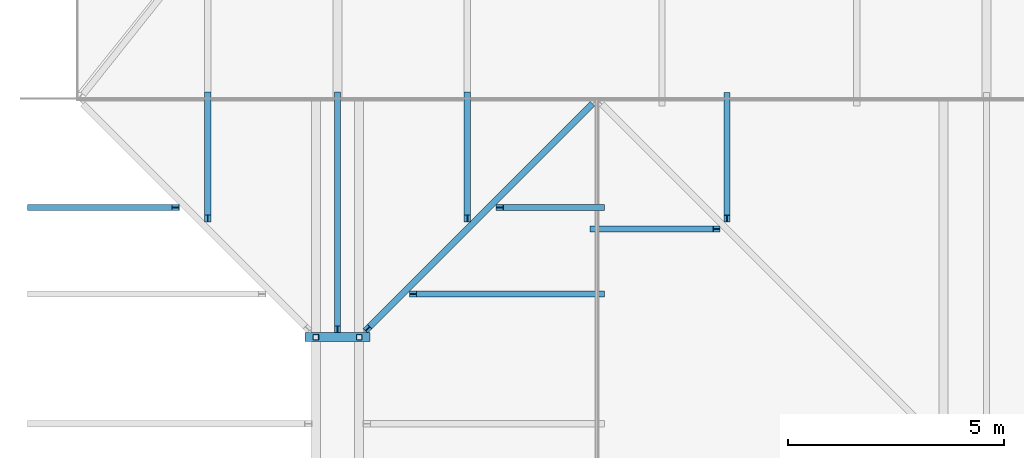
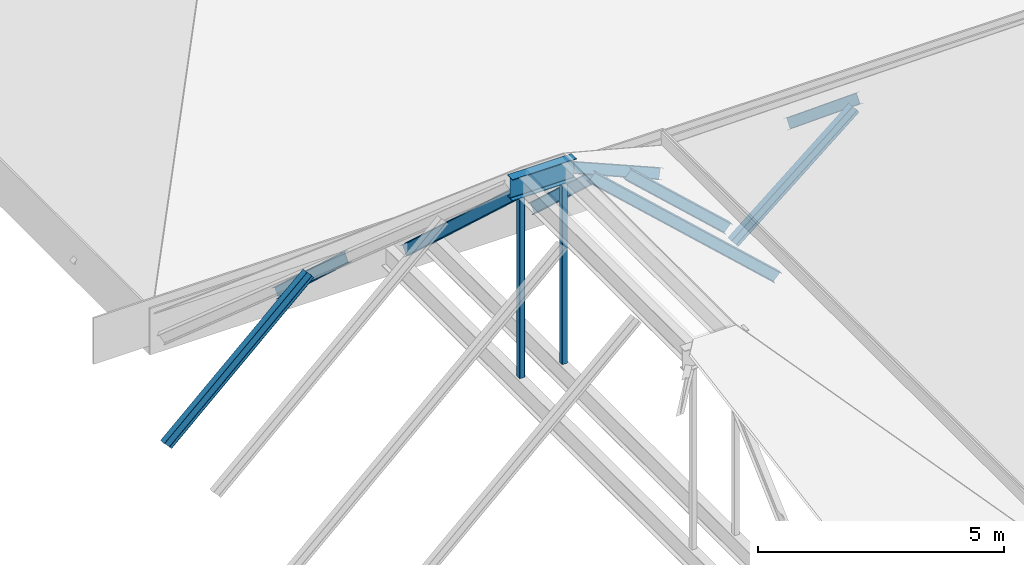
# One storey, part 23 of 57: 11 members, 1 beam.
"""IFC4 building model written with IfcOpenShell, lengths in metres."""

from ifc_helpers import new_model, si_unit, direction, frame, origin, origin_2d, place, context, subcontext, project, spatial, hollow_rectangle, i_section, extrude, material, material_profile, profile_set, type_object, element, save


model = new_model("IFC4")

# Units and contexts
model_context = context("Model", 3, precision=1e-05, world=origin(), true_north=direction((0.0, 1.0)))
body_context = subcontext(model_context, "Body", "Model", "MODEL_VIEW")
ifc_project = project(units=[si_unit("LENGTHUNIT", "METRE"), si_unit("AREAUNIT", "SQUARE_METRE"), si_unit("VOLUMEUNIT", "CUBIC_METRE"), si_unit("PLANEANGLEUNIT", "RADIAN"), si_unit("MASSUNIT", "GRAM", prefix="KILO")], contexts=[model_context])

# Site, building, storey
site_placement = place(None, origin())
site = spatial("IfcSite", under=ifc_project, at=site_placement, CompositionType="ELEMENT")
building_placement = place(site_placement, origin())
building = spatial("IfcBuilding", under=site, at=building_placement, Name="Saffron Lane Theatres", CompositionType="ELEMENT")
storey_placement = place(building_placement, frame((0.0, 0.0, 28.0)))
storey = spatial("IfcBuildingStorey", under=building, at=storey_placement, Name="Upper Roof", CompositionType="ELEMENT", Elevation=28.0)

# Beam
ifc_material_1 = material(Name="Steel Grade 350", Category="steel")
ifc_material_profile_1 = material_profile(ifc_material_1, i_section(OverallWidth=0.208984375, OverallDepth=0.532958984375, WebThickness=0.01025390625, FlangeThickness=0.015625, FilletRadius=0.013916015625, at=origin_2d()))
ifc_profile_set_1 = profile_set([ifc_material_profile_1], Name="Steel Grade 350")
beam_type = type_object("IfcBeamType", Name="ST-CROWN GIRDER 530UB92.4", PredefinedType="BEAM", material=ifc_profile_set_1)
beam_placement = place(storey_placement, frame((17.25, 102.5, 5.294677734375), z_axis=(1.0, 0.0, 0.0), x_axis=(0.0, 1.0, 0.0)))
element("IfcBeam", 1, at=beam_placement, inside=storey, type_object=beam_type, Name="BK1-C2", PredefinedType="BEAM", context=body_context, shape_type="SweptSolid", body=[
    extrude(i_section(OverallWidth=0.208984375, OverallDepth=0.532958984375, WebThickness=0.01025390625, FlangeThickness=0.015625, FilletRadius=0.013916015625, at=origin_2d()), origin(), (0.0, 0.0, 1.0), 1.5),
])

# Members
ifc_material_2 = material(Name="Steel Grade 350", Category="steel")
ifc_material_profile_2 = material_profile(ifc_material_2, i_section(OverallWidth=0.14599609375, OverallDepth=0.251953125, WebThickness=0.006103515625, FlangeThickness=0.008544921875, FilletRadius=0.011962890625, at=origin_2d()))
ifc_profile_set_2 = profile_set([ifc_material_profile_2], Name="Steel Grade 350")
member_type_1 = type_object("IfcMemberType", Name="ST-HIP RAFTER 250UB31.4", PredefinedType="RAFTER", material=ifc_profile_set_2)
member_1_placement = place(storey_placement, frame((23.8408203125, 107.8408203125, 0.105712890625), z_axis=(-0.579642029858, -0.579642029858, 0.572739237738), x_axis=(0.707106781187, -0.707106781187, 0.0)))
element("IfcMember", 2, at=member_1_placement, inside=storey, type_object=member_type_1, Name="BK1-H4", PredefinedType="RAFTER", context=body_context, shape_type="SweptSolid", body=[
    extrude(i_section(OverallWidth=0.14599609375, OverallDepth=0.251953125, WebThickness=0.006103515625, FlangeThickness=0.008544921875, FilletRadius=0.011962890625, at=origin_2d()), origin(), (0.0, 0.0, 1.0), 8.87744140625),
])
ifc_material_3 = material(Name="Steel Grade 350", Category="steel")
ifc_material_profile_3 = material_profile(ifc_material_3, i_section(OverallWidth=0.14599609375, OverallDepth=0.251953125, WebThickness=0.006103515625, FlangeThickness=0.008544921875, FilletRadius=0.011962890625, at=origin_2d()))
ifc_profile_set_3 = profile_set([ifc_material_profile_3], Name="Steel Grade 350")
member_type_2 = type_object("IfcMemberType", Name="ST-JACK RAFTER 250UB31.4", PredefinedType="RAFTER", material=ifc_profile_set_3)
member_2_placement = place(storey_placement, frame((15.0, 108.085205078125, 0.0927734375), z_axis=(0.0, -0.735874284535, 0.677118185667), x_axis=(1.0, 0.0, 0.0)))
element("IfcMember", 3, at=member_2_placement, inside=storey, type_object=member_type_2, Name="BK1-K2", PredefinedType="RAFTER", context=body_context, shape_type="SweptSolid", body=[
    extrude(i_section(OverallWidth=0.14599609375, OverallDepth=0.251953125, WebThickness=0.006103515625, FlangeThickness=0.008544921875, FilletRadius=0.011962890625, at=origin_2d()), origin(), (0.0, 0.0, 1.0), 3.860107421875),
])
member_3_placement = place(storey_placement, frame((18.0, 108.085205078125, 0.0927734375), z_axis=(0.0, -0.735882670699, 0.67710907169), x_axis=(1.0, 0.0, 0.0)))
element("IfcMember", 4, at=member_3_placement, inside=storey, type_object=member_type_2, Name="BK1-K4", PredefinedType="RAFTER", context=body_context, shape_type="SweptSolid", body=[
    extrude(i_section(OverallWidth=0.14599609375, OverallDepth=0.251953125, WebThickness=0.006103515625, FlangeThickness=0.008544921875, FilletRadius=0.011962890625, at=origin_2d()), origin(), (0.0, 0.0, 1.0), 7.348388671875),
])
member_4_placement = place(storey_placement, frame((21.0, 108.085205078125, 0.0927734375), z_axis=(0.0, -0.735874284535, 0.677118185667), x_axis=(1.0, 0.0, 0.0)))
element("IfcMember", 5, at=member_4_placement, inside=storey, type_object=member_type_2, Name="BK1-K6", PredefinedType="RAFTER", context=body_context, shape_type="SweptSolid", body=[
    extrude(i_section(OverallWidth=0.14599609375, OverallDepth=0.251953125, WebThickness=0.006103515625, FlangeThickness=0.008544921875, FilletRadius=0.011962890625, at=origin_2d()), origin(), (0.0, 0.0, 1.0), 3.860107421875),
])
member_5_placement = place(storey_placement, frame((24.085205078125, 103.5, 0.0927734375), z_axis=(-0.735883163272, 0.0, 0.677108536361), x_axis=(0.0, -1.0, 0.0)))
element("IfcMember", 6, at=member_5_placement, inside=storey, type_object=member_type_2, Name="BK1-K14", PredefinedType="RAFTER", context=body_context, shape_type="SweptSolid", body=[
    extrude(i_section(OverallWidth=0.14599609375, OverallDepth=0.251953125, WebThickness=0.006103515625, FlangeThickness=0.008544921875, FilletRadius=0.011962890625, at=origin_2d()), origin(), (0.0, 0.0, 1.0), 5.8984375),
])
member_6_placement = place(storey_placement, frame((10.9130859375, 105.5, -0.66796875), z_axis=(0.735872086145, 0.0, 0.677120574811), x_axis=(0.0, 1.0, 0.0)))
element("IfcMember", 7, at=member_6_placement, inside=storey, type_object=member_type_2, Name="BK1-K15", PredefinedType="RAFTER", context=body_context, shape_type="SweptSolid", body=[
    extrude(i_section(OverallWidth=0.14599609375, OverallDepth=0.251953125, WebThickness=0.006103515625, FlangeThickness=0.008544921875, FilletRadius=0.011962890625, at=origin_2d()), origin(), (0.0, 0.0, 1.0), 4.5419921875),
])
member_7_placement = place(storey_placement, frame((24.085205078125, 105.5, 0.0927734375), z_axis=(-0.735856047482, 0.0, 0.677138004682), x_axis=(0.0, -1.0, 0.0)))
element("IfcMember", 8, at=member_7_placement, inside=storey, type_object=member_type_2, Name="BK1-K16", PredefinedType="RAFTER", context=body_context, shape_type="SweptSolid", body=[
    extrude(i_section(OverallWidth=0.14599609375, OverallDepth=0.251953125, WebThickness=0.006103515625, FlangeThickness=0.008544921875, FilletRadius=0.011962890625, at=origin_2d()), origin(), (0.0, 0.0, 1.0), 3.1806640625),
])
for number, where, z_axis, x_axis, name in (
    (9, (27.0, 108.080078125, 0.09716796875), (0.0, -0.771369210448, 0.636387885784), (1.0, 0.0, 0.0), "BK2-K2"),
    (10, (23.919921875, 105.0, 0.09716796875), (0.771369210448, 0.0, 0.636387885784), (0.0, 1.0, 0.0), "BK2-K11"),
):
    element("IfcMember", number, at=place(storey_placement, frame(where, z_axis=z_axis, x_axis=x_axis)), inside=storey, type_object=member_type_2, Name=name, PredefinedType="RAFTER", context=body_context, shape_type="SweptSolid", body=[
        extrude(i_section(OverallWidth=0.14599609375, OverallDepth=0.251953125, WebThickness=0.006103515625, FlangeThickness=0.008544921875, FilletRadius=0.011962890625, at=origin_2d()), origin(), (0.0, 0.0, 1.0), 3.6826171875),
    ])
ifc_material_4 = material(Name="Steel Grade 350", Category="steel")
ifc_material_profile_4 = material_profile(ifc_material_4, hollow_rectangle(XDim=0.125, YDim=0.125, WallThickness=0.006103515625, InnerFilletRadius=0.0029296875, OuterFilletRadius=0.009033203125, at=origin_2d()))
ifc_profile_set_4 = profile_set([ifc_material_profile_4], Name="Steel Grade 350")
member_type_3 = type_object("IfcMemberType", Name="ST-STUDIO POST 125x125x6 SHS", PredefinedType="POST", material=ifc_profile_set_4)
for number, where, z_axis, x_axis, name in (
    (11, (17.5, 102.5, 0.532958984375), (0.0, 0.0, 1.0), (1.0, 0.0, 0.0), "BK1-P1-102.5"),
    (12, (18.5, 102.5, 0.532958984375), (0.0, 0.0, 1.0), (1.0, 0.0, 0.0), "BK1-P2-102.5"),
):
    element("IfcMember", number, at=place(storey_placement, frame(where, z_axis=z_axis, x_axis=x_axis)), inside=storey, type_object=member_type_3, Name=name, PredefinedType="POST", context=body_context, shape_type="SweptSolid", body=[
        extrude(hollow_rectangle(XDim=0.125, YDim=0.125, WallThickness=0.006103515625, InnerFilletRadius=0.0029296875, OuterFilletRadius=0.009033203125, at=origin_2d()), origin(), (0.0, 0.0, 1.0), 4.4951171875),
    ])

save(model, "model.ifc")
